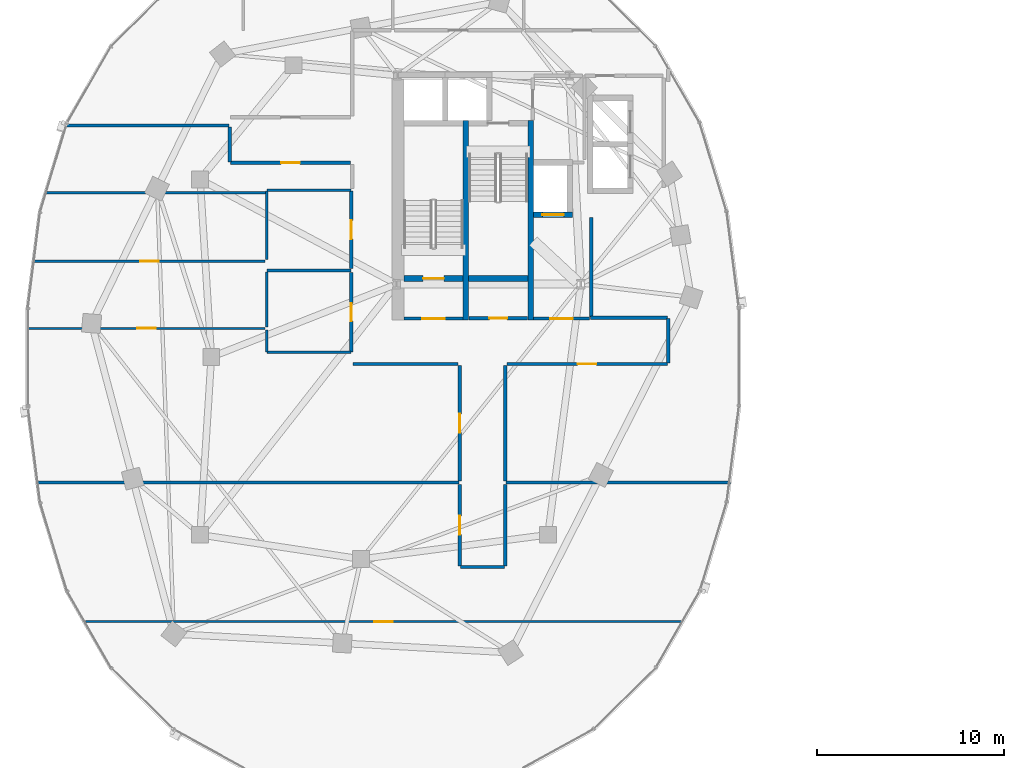
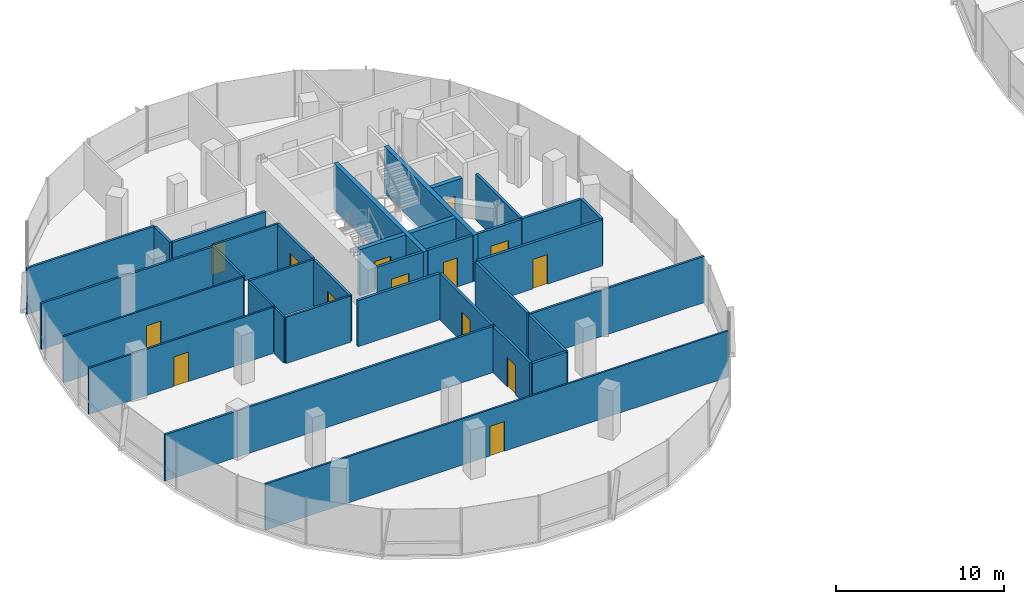
# One storey, part 12 of 23: 35 walls, 14 doors, 14 openings.
"""IFC4 building model written with IfcOpenShell, lengths in metres."""

from ifc_helpers import new_model, si_unit, direction, frame, frame_2d, origin, place, context, subcontext, project, spatial, rectangle, extrude, material, layer, layer_set, type_object, element, fill, save


model = new_model("IFC4")

# Units and contexts
model_context = context("Model", 3, precision=1e-05, world=origin(), true_north=direction((0.0, 1.0)))
body_context = subcontext(model_context, "Body", "Model", "MODEL_VIEW")
ifc_project = project(units=[si_unit("LENGTHUNIT", "METRE"), si_unit("AREAUNIT", "SQUARE_METRE"), si_unit("VOLUMEUNIT", "CUBIC_METRE"), si_unit("PLANEANGLEUNIT", "RADIAN"), si_unit("MASSUNIT", "GRAM", prefix="KILO"), si_unit("THERMODYNAMICTEMPERATUREUNIT", "KELVIN"), si_unit("POWERUNIT", "WATT")], contexts=[model_context])

# Site, building, storey
site_placement = place(None, origin())
site = spatial("IfcSite", under=ifc_project, at=site_placement, CompositionType="ELEMENT")
building_placement = place(site_placement, origin())
building = spatial("IfcBuilding", under=site, at=building_placement, Name="Cundina Bronze Exchange", CompositionType="ELEMENT")
storey_placement = place(building_placement, frame((0.0, 0.0, 169.199951171875)))
storey = spatial("IfcBuildingStorey", under=building, at=storey_placement, Name="L44", CompositionType="ELEMENT", Elevation=169.199951171875)

# Wall
ifc_material_1 = material(Name="Gypsum Fireboard Partition EI120")
ifc_layer_1 = layer(ifc_material_1, 0.179931640625, Name="Gypsum Fireboard Partition EI120")
ifc_layer_set_1 = layer_set([ifc_layer_1], Name="Gypsum Fireboard Partition EI120")
wall_type_1 = type_object("IfcWallType", Name="WL-COR-180", PredefinedType="PARTITIONING", material=ifc_layer_set_1)
wall_1_placement = place(storey_placement, frame((-20.889892578125, 2.14990234375, 0.0), z_axis=(0.0, 0.0, 1.0), x_axis=(0.0, 1.0, 0.0)))
element("IfcWall", 1, at=wall_1_placement, inside=storey, type_object=wall_type_1, Name="L44 W Firefighting Lobby Side Wall", PredefinedType="PARTITIONING", context=body_context, shape_type="SweptSolid", body=[
    extrude(rectangle(XDim=5.300048828125, YDim=0.179931640625, at=frame_2d((2.64990234375, 0.0))), origin(), (0.0, 0.0, 1.0), 3.360107421875),
])

# Wall, opening, door
wall_2_placement = place(storey_placement, frame((-23.97998046875, 2.06005859375, 0.0), z_axis=(0.0, 0.0, 1.0), x_axis=(1.0, 0.0, 0.0)))
wall_2 = element("IfcWall", 2, at=wall_2_placement, inside=storey, type_object=wall_type_1, Name="L44 W Firefighting Lobby Exit Wall", PredefinedType="PARTITIONING", context=body_context, shape_type="SweptSolid", body=[
    extrude(rectangle(XDim=3.0, YDim=0.179931640625, at=frame_2d((1.5, 0.0))), origin(), (0.0, 0.0, 1.0), 3.360107421875),
])
opening_1_placement = place(wall_2_placement, frame((0.89990234375, 0.0, 0.0)))
opening_1 = element("IfcOpeningElement", 3, at=opening_1_placement, cuts=wall_2, Name="Opening DF-01", PredefinedType="OPENING", context=body_context, shape_type="SweptSolid", body=[
    extrude(rectangle(XDim=1.199951171875, YDim=2.14990234375, at=frame_2d((0.60009765625, 1.074951171875))), frame((0.0, 0.099853515625, 0.0), z_axis=(0.0, -1.0, 0.0), x_axis=(1.0, 0.0, 0.0)), (0.0, 0.0, 1.0), 0.199951171875),
])
ifc_material_2 = material(Name="Steel ASTM A36 Painted", Category="steel")
door_type_1 = type_object("IfcDoorType", Name="DR-FFL-1200", OperationType="NOTDEFINED", PredefinedType="DOOR", material=ifc_material_2)
door_1_placement = place(opening_1_placement, origin())
door_1 = element("IfcDoor", 4, at=door_1_placement, inside=storey, type_object=door_type_1, Name="L44 W Firefighting Lobby Door", OperationType="SINGLE_SWING_RIGHT", OverallHeight=2.14990234375, OverallWidth=1.199951171875, PredefinedType="DOOR", context=body_context, shape_type="SweptSolid", body=[
    extrude(rectangle(XDim=1.199951171875, YDim=2.14990234375, at=frame_2d((0.60009765625, 1.074951171875))), frame((0.0, 0.02490234375, 0.0), z_axis=(0.0, -1.0, 0.0), x_axis=(1.0, 0.0, 0.0)), (0.0, 0.0, 1.0), 0.050048828125),
])
fill(opening_1, door_1)

wall_3_placement = place(storey_placement, frame((-30.89990234375, 2.06005859375, 0.0), z_axis=(0.0, 0.0, 1.0), x_axis=(1.0, 0.0, 0.0)))
wall_3 = element("IfcWall", 5, at=wall_3_placement, inside=storey, type_object=wall_type_1, Name="L44 W Stair Vestibule Exit Wall", PredefinedType="PARTITIONING", context=body_context, shape_type="SweptSolid", body=[
    extrude(rectangle(XDim=3.159912109375, YDim=0.179931640625, at=frame_2d((1.580078125, 0.0))), origin(), (0.0, 0.0, 1.0), 3.360107421875),
])
opening_2_placement = place(wall_3_placement, frame((0.97998046875, 0.0, 0.0)))
opening_2 = element("IfcOpeningElement", 6, at=opening_2_placement, cuts=wall_3, Name="Opening DF-01", PredefinedType="OPENING", context=body_context, shape_type="SweptSolid", body=[
    extrude(rectangle(XDim=1.199951171875, YDim=2.14990234375, at=frame_2d((0.60009765625, 1.074951171875))), frame((0.0, 0.099853515625, 0.0), z_axis=(0.0, -1.0, 0.0), x_axis=(1.0, 0.0, 0.0)), (0.0, 0.0, 1.0), 0.199951171875),
])
door_2_placement = place(opening_2_placement, origin())
door_2 = element("IfcDoor", 7, at=door_2_placement, inside=storey, type_object=door_type_1, Name="L44 W Stair Vestibule Door", OperationType="SINGLE_SWING_LEFT", OverallHeight=2.14990234375, OverallWidth=1.199951171875, PredefinedType="DOOR", context=body_context, shape_type="SweptSolid", body=[
    extrude(rectangle(XDim=1.199951171875, YDim=2.14990234375, at=frame_2d((0.60009765625, 1.074951171875))), frame((0.0, 0.02490234375, 0.0), z_axis=(0.0, -1.0, 0.0), x_axis=(1.0, 0.0, 0.0)), (0.0, 0.0, 1.0), 0.050048828125),
])
fill(opening_2, door_2)

wall_4_placement = place(storey_placement, frame((-27.419921875, 2.070068359375, 0.0), z_axis=(0.0, 0.0, 1.0), x_axis=(1.0, 0.0, 0.0)))
wall_4 = element("IfcWall", 8, at=wall_4_placement, inside=storey, type_object=wall_type_1, Name="L44 Interior Partition 007", PredefinedType="PARTITIONING", context=body_context, shape_type="SweptSolid", body=[
    extrude(rectangle(XDim=3.119873046875, YDim=0.179931640625, at=frame_2d((1.56005859375, 0.0))), origin(), (0.0, 0.0, 1.0), 3.360107421875),
])
opening_3_placement = place(wall_4_placement, frame((1.0849609375, 0.0, 0.0)))
opening_3 = element("IfcOpeningElement", 9, at=opening_3_placement, cuts=wall_4, Name="Opening DW-01", PredefinedType="OPENING", context=body_context, shape_type="SweptSolid", body=[
    extrude(rectangle(XDim=0.949951171875, YDim=2.10009765625, at=frame_2d((0.47509765625, 1.050048828125))), frame((0.0, 0.099853515625, 0.0), z_axis=(0.0, -1.0, 0.0), x_axis=(1.0, 0.0, 0.0)), (0.0, 0.0, 1.0), 0.199951171875),
])
ifc_material_3 = material(Name="Solid Andean Oak Timber Grade A", Category="wood")
door_type_2 = type_object("IfcDoorType", Name="DR-WC-950", OperationType="NOTDEFINED", PredefinedType="DOOR", material=ifc_material_3)
door_3_placement = place(opening_3_placement, origin())
door_3 = element("IfcDoor", 10, at=door_3_placement, inside=storey, type_object=door_type_2, Name="L44 Interior Door 007", OperationType="SINGLE_SWING_LEFT", OverallHeight=2.10009765625, OverallWidth=0.949951171875, PredefinedType="DOOR", context=body_context, shape_type="SweptSolid", body=[
    extrude(rectangle(XDim=0.949951171875, YDim=2.10009765625, at=frame_2d((0.47509765625, 1.050048828125))), frame((0.0, 0.02490234375, 0.0), z_axis=(0.0, -1.0, 0.0), x_axis=(1.0, 0.0, 0.0)), (0.0, 0.0, 1.0), 0.050048828125),
])
fill(opening_3, door_3)

wall_5_placement = place(storey_placement, frame((-33.719970703125, 0.27001953125, 0.0), z_axis=(0.0, 0.0, 1.0), x_axis=(0.0, 1.0, 0.0)))
wall_5 = element("IfcWall", 11, at=wall_5_placement, inside=storey, type_object=wall_type_1, Name="L44 Interior Partition 015", PredefinedType="PARTITIONING", context=body_context, shape_type="SweptSolid", body=[
    extrude(rectangle(XDim=4.260009765625, YDim=0.179931640625, at=frame_2d((2.1298828125, 0.0))), origin(), (0.0, 0.0, 1.0), 3.360107421875),
])
opening_4_placement = place(wall_5_placement, frame((1.655029296875, 0.0, 0.0)))
opening_4 = element("IfcOpeningElement", 12, at=opening_4_placement, cuts=wall_5, Name="Opening DW-01", PredefinedType="OPENING", context=body_context, shape_type="SweptSolid", body=[
    extrude(rectangle(XDim=0.949951171875, YDim=2.10009765625, at=frame_2d((0.47509765625, 1.050048828125))), frame((0.0, 0.099853515625, 0.0), z_axis=(0.0, -1.0, 0.0), x_axis=(1.0, 0.0, 0.0)), (0.0, 0.0, 1.0), 0.199951171875),
])
door_4_placement = place(opening_4_placement, origin())
door_4 = element("IfcDoor", 13, at=door_4_placement, inside=storey, type_object=door_type_2, Name="L44 Interior Door 015", OperationType="SINGLE_SWING_LEFT", OverallHeight=2.10009765625, OverallWidth=0.949951171875, PredefinedType="DOOR", context=body_context, shape_type="SweptSolid", body=[
    extrude(rectangle(XDim=0.949951171875, YDim=2.10009765625, at=frame_2d((0.47509765625, 1.050048828125))), frame((0.0, 0.02490234375, 0.0), z_axis=(0.0, -1.0, 0.0), x_axis=(1.0, 0.0, 0.0)), (0.0, 0.0, 1.0), 0.050048828125),
])
fill(opening_4, door_4)

wall_6_placement = place(storey_placement, frame((-33.719970703125, 4.72998046875, 0.0), z_axis=(0.0, 0.0, 1.0), x_axis=(0.0, 1.0, 0.0)))
wall_6 = element("IfcWall", 14, at=wall_6_placement, inside=storey, type_object=wall_type_1, Name="L44 Interior Partition 016", PredefinedType="PARTITIONING", context=body_context, shape_type="SweptSolid", body=[
    extrude(rectangle(XDim=4.159912109375, YDim=0.179931640625, at=frame_2d((2.080078125, 0.0))), origin(), (0.0, 0.0, 1.0), 3.360107421875),
])
opening_5_placement = place(wall_6_placement, frame((1.580078125, 0.0, 0.0)))
opening_5 = element("IfcOpeningElement", 15, at=opening_5_placement, cuts=wall_6, Name="Opening DO-01", PredefinedType="OPENING", context=body_context, shape_type="SweptSolid", body=[
    extrude(rectangle(XDim=1.0, YDim=2.14990234375, at=frame_2d((0.5, 1.074951171875))), frame((0.0, 0.099853515625, 0.0), z_axis=(0.0, -1.0, 0.0), x_axis=(1.0, 0.0, 0.0)), (0.0, 0.0, 1.0), 0.199951171875),
])
door_type_3 = type_object("IfcDoorType", Name="DR-OFF-1000", OperationType="NOTDEFINED", PredefinedType="DOOR", material=ifc_material_3)
door_5_placement = place(opening_5_placement, origin())
door_5 = element("IfcDoor", 16, at=door_5_placement, inside=storey, type_object=door_type_3, Name="L44 Interior Door 016", OperationType="SINGLE_SWING_LEFT", OverallHeight=2.14990234375, OverallWidth=1.0, PredefinedType="DOOR", context=body_context, shape_type="SweptSolid", body=[
    extrude(rectangle(XDim=1.0, YDim=2.14990234375, at=frame_2d((0.5, 1.074951171875))), frame((0.0, 0.02490234375, 0.0), z_axis=(0.0, -1.0, 0.0), x_axis=(1.0, 0.0, 0.0)), (0.0, 0.0, 1.0), 0.050048828125),
])
fill(opening_5, door_5)

wall_7_placement = place(storey_placement, frame((-27.919921875, -6.800048828125, 0.0), z_axis=(0.0, 0.0, 1.0), x_axis=(0.0, -1.0, 0.0)))
wall_7 = element("IfcWall", 17, at=wall_7_placement, inside=storey, type_object=wall_type_1, Name="L44 Interior Partition 024", PredefinedType="PARTITIONING", context=body_context, shape_type="SweptSolid", body=[
    extrude(rectangle(XDim=4.37841796875, YDim=0.179931640625, at=frame_2d((2.189208984375, 0.0))), origin(), (0.0, 0.0, 1.0), 3.360107421875),
])
opening_6_placement = place(wall_7_placement, frame((1.689208984375, 0.0, 0.0)))
opening_6 = element("IfcOpeningElement", 18, at=opening_6_placement, cuts=wall_7, Name="Opening DO-01", PredefinedType="OPENING", context=body_context, shape_type="SweptSolid", body=[
    extrude(rectangle(XDim=1.0, YDim=2.14990234375, at=frame_2d((0.5, 1.074951171875))), frame((0.0, 0.099853515625, 0.0), z_axis=(0.0, -1.0, 0.0), x_axis=(1.0, 0.0, 0.0)), (0.0, 0.0, 1.0), 0.199951171875),
])
door_6_placement = place(opening_6_placement, origin())
door_6 = element("IfcDoor", 19, at=door_6_placement, inside=storey, type_object=door_type_3, Name="L44 Interior Door 024", OperationType="SINGLE_SWING_RIGHT", OverallHeight=2.14990234375, OverallWidth=1.0, PredefinedType="DOOR", context=body_context, shape_type="SweptSolid", body=[
    extrude(rectangle(XDim=1.0, YDim=2.14990234375, at=frame_2d((0.5, 1.074951171875))), frame((0.0, 0.02490234375, 0.0), z_axis=(0.0, -1.0, 0.0), x_axis=(1.0, 0.0, 0.0)), (0.0, 0.0, 1.0), 0.050048828125),
])
fill(opening_6, door_6)

# Walls
wall_8_placement = place(storey_placement, frame((-25.47998046875, -11.178466796875, 0.0), z_axis=(0.0, 0.0, 1.0), x_axis=(0.0, 1.0, 0.0)))
element("IfcWall", 20, at=wall_8_placement, inside=storey, type_object=wall_type_1, Name="L44 Interior Partition 025", PredefinedType="PARTITIONING", context=body_context, shape_type="SweptSolid", body=[
    extrude(rectangle(XDim=4.37841796875, YDim=0.179931640625, at=frame_2d((2.189208984375, 0.0))), origin(), (0.0, 0.0, 1.0), 3.360107421875),
])
wall_9_placement = place(storey_placement, frame((-27.87841796875, -11.219970703125, 0.0), z_axis=(0.0, 0.0, 1.0), x_axis=(1.0, 0.0, 0.0)))
element("IfcWall", 21, at=wall_9_placement, inside=storey, type_object=wall_type_1, Name="L44 Interior Partition 026", PredefinedType="PARTITIONING", context=body_context, shape_type="SweptSolid", body=[
    extrude(rectangle(XDim=2.35693359375, YDim=0.179931640625, at=frame_2d((1.178466796875, 0.0))), origin(), (0.0, 0.0, 1.0), 3.360107421875),
])

# Wall, opening, door
wall_10_placement = place(storey_placement, frame((-27.919921875, -0.449951171875, 0.0), z_axis=(0.0, 0.0, 1.0), x_axis=(0.0, -1.0, 0.0)))
wall_10 = element("IfcWall", 22, at=wall_10_placement, inside=storey, type_object=wall_type_1, Name="L44 Interior Partition 027", PredefinedType="PARTITIONING", context=body_context, shape_type="SweptSolid", body=[
    extrude(rectangle(XDim=6.170166015625, YDim=0.179931640625, at=frame_2d((3.0849609375, 0.0))), origin(), (0.0, 0.0, 1.0), 3.360107421875),
])
opening_7_placement = place(wall_10_placement, frame((2.5849609375, 0.0, 0.0)))
opening_7 = element("IfcOpeningElement", 23, at=opening_7_placement, cuts=wall_10, Name="Opening DO-01", PredefinedType="OPENING", context=body_context, shape_type="SweptSolid", body=[
    extrude(rectangle(XDim=1.0, YDim=2.14990234375, at=frame_2d((0.5, 1.074951171875))), frame((0.0, 0.099853515625, 0.0), z_axis=(0.0, -1.0, 0.0), x_axis=(1.0, 0.0, 0.0)), (0.0, 0.0, 1.0), 0.199951171875),
])
door_7_placement = place(opening_7_placement, origin())
door_7 = element("IfcDoor", 24, at=door_7_placement, inside=storey, type_object=door_type_3, Name="L44 Interior Door 027", OperationType="SINGLE_SWING_RIGHT", OverallHeight=2.14990234375, OverallWidth=1.0, PredefinedType="DOOR", context=body_context, shape_type="SweptSolid", body=[
    extrude(rectangle(XDim=1.0, YDim=2.14990234375, at=frame_2d((0.5, 1.074951171875))), frame((0.0, 0.02490234375, 0.0), z_axis=(0.0, -1.0, 0.0), x_axis=(1.0, 0.0, 0.0)), (0.0, 0.0, 1.0), 0.050048828125),
])
fill(opening_7, door_7)

# Wall
wall_11_placement = place(storey_placement, frame((-33.62841796875, -0.3701171875, 0.0), z_axis=(0.0, 0.0, 1.0), x_axis=(1.0, 0.0, 0.0)))
element("IfcWall", 25, at=wall_11_placement, inside=storey, type_object=wall_type_1, Name="L44 Interior Partition 028", PredefinedType="PARTITIONING", context=body_context, shape_type="SweptSolid", body=[
    extrude(rectangle(XDim=5.62841796875, YDim=0.179931640625, at=frame_2d((2.814208984375, 0.0))), origin(), (0.0, 0.0, 1.0), 3.360107421875),
])

# Wall, opening, door
wall_12_placement = place(storey_placement, frame((-25.39990234375, -0.3701171875, 0.0), z_axis=(0.0, 0.0, 1.0), x_axis=(1.0, 0.0, 0.0)))
wall_12 = element("IfcWall", 26, at=wall_12_placement, inside=storey, type_object=wall_type_1, Name="L44 Interior Partition 029", PredefinedType="PARTITIONING", context=body_context, shape_type="SweptSolid", body=[
    extrude(rectangle(XDim=8.578369140625, YDim=0.179931640625, at=frame_2d((4.2890625, 0.0))), origin(), (0.0, 0.0, 1.0), 3.360107421875),
])
opening_8_placement = place(wall_12_placement, frame((3.789306640625, 0.0, 0.0)))
opening_8 = element("IfcOpeningElement", 27, at=opening_8_placement, cuts=wall_12, Name="Opening DO-01", PredefinedType="OPENING", context=body_context, shape_type="SweptSolid", body=[
    extrude(rectangle(XDim=1.0, YDim=2.14990234375, at=frame_2d((0.5, 1.074951171875))), frame((0.0, 0.099853515625, 0.0), z_axis=(0.0, -1.0, 0.0), x_axis=(1.0, 0.0, 0.0)), (0.0, 0.0, 1.0), 0.199951171875),
])
door_8_placement = place(opening_8_placement, origin())
door_8 = element("IfcDoor", 28, at=door_8_placement, inside=storey, type_object=door_type_3, Name="L44 Interior Door 029", OperationType="SINGLE_SWING_LEFT", OverallHeight=2.14990234375, OverallWidth=1.0, PredefinedType="DOOR", context=body_context, shape_type="SweptSolid", body=[
    extrude(rectangle(XDim=1.0, YDim=2.14990234375, at=frame_2d((0.5, 1.074951171875))), frame((0.0, 0.02490234375, 0.0), z_axis=(0.0, -1.0, 0.0), x_axis=(1.0, 0.0, 0.0)), (0.0, 0.0, 1.0), 0.050048828125),
])
fill(opening_8, door_8)

# Walls
wall_13_placement = place(storey_placement, frame((-25.47998046875, -6.6201171875, 0.0), z_axis=(0.0, 0.0, 1.0), x_axis=(0.0, 1.0, 0.0)))
element("IfcWall", 29, at=wall_13_placement, inside=storey, type_object=wall_type_1, Name="L44 Interior Partition 030", PredefinedType="PARTITIONING", context=body_context, shape_type="SweptSolid", body=[
    extrude(rectangle(XDim=6.170166015625, YDim=0.179931640625, at=frame_2d((3.0849609375, 0.0))), origin(), (0.0, 0.0, 1.0), 3.360107421875),
])
wall_14_placement = place(storey_placement, frame((-16.821533203125, 2.10009765625, 0.0), z_axis=(0.0, 0.0, 1.0), x_axis=(-1.0, 0.0, 0.0)))
element("IfcWall", 30, at=wall_14_placement, inside=storey, type_object=wall_type_1, Name="L44 Interior Partition 031", PredefinedType="PARTITIONING", context=body_context, shape_type="SweptSolid", body=[
    extrude(rectangle(XDim=4.098388671875, YDim=0.179931640625, at=frame_2d((2.04931640625, 0.0))), origin(), (0.0, 0.0, 1.0), 3.360107421875),
])
wall_15_placement = place(storey_placement, frame((-16.780029296875, -0.32861328125, 0.0), z_axis=(0.0, 0.0, 1.0), x_axis=(0.0, 1.0, 0.0)))
element("IfcWall", 31, at=wall_15_placement, inside=storey, type_object=wall_type_1, Name="L44 Interior Partition 032", PredefinedType="PARTITIONING", context=body_context, shape_type="SweptSolid", body=[
    extrude(rectangle(XDim=2.38720703125, YDim=0.179931640625, at=frame_2d((1.193603515625, 0.0))), origin(), (0.0, 0.0, 1.0), 3.360107421875),
])

# Wall, opening, door
wall_16_placement = place(storey_placement, frame((-40.178466796875, 10.3798828125, 0.0), z_axis=(0.0, 0.0, 1.0), x_axis=(1.0, 0.0, 0.0)))
wall_16 = element("IfcWall", 32, at=wall_16_placement, inside=storey, type_object=wall_type_1, Name="L44 Interior Partition 034", PredefinedType="PARTITIONING", context=body_context, shape_type="SweptSolid", body=[
    extrude(rectangle(XDim=6.428466796875, YDim=0.179931640625, at=frame_2d((3.21435546875, 0.0))), origin(), (0.0, 0.0, 1.0), 3.360107421875),
])
opening_9_placement = place(wall_16_placement, frame((2.714111328125, 0.0, 0.0)))
opening_9 = element("IfcOpeningElement", 33, at=opening_9_placement, cuts=wall_16, Name="Opening DO-01", PredefinedType="OPENING", context=body_context, shape_type="SweptSolid", body=[
    extrude(rectangle(XDim=1.0, YDim=2.14990234375, at=frame_2d((0.5, 1.074951171875))), frame((0.0, 0.099853515625, 0.0), z_axis=(0.0, -1.0, 0.0), x_axis=(1.0, 0.0, 0.0)), (0.0, 0.0, 1.0), 0.199951171875),
])
door_9_placement = place(opening_9_placement, origin())
door_9 = element("IfcDoor", 34, at=door_9_placement, inside=storey, type_object=door_type_3, Name="L44 Interior Door 034", OperationType="SINGLE_SWING_RIGHT", OverallHeight=2.14990234375, OverallWidth=1.0, PredefinedType="DOOR", context=body_context, shape_type="SweptSolid", body=[
    extrude(rectangle(XDim=1.0, YDim=2.14990234375, at=frame_2d((0.5, 1.074951171875))), frame((0.0, 0.02490234375, 0.0), z_axis=(0.0, -1.0, 0.0), x_axis=(1.0, 0.0, 0.0)), (0.0, 0.0, 1.0), 0.050048828125),
])
fill(opening_9, door_9)

# Wall
wall_17_placement = place(storey_placement, frame((-40.219970703125, 12.2900390625, 0.0), z_axis=(0.0, 0.0, 1.0), x_axis=(0.0, -1.0, 0.0)))
element("IfcWall", 35, at=wall_17_placement, inside=storey, type_object=wall_type_1, Name="L44 Interior Partition 035", PredefinedType="PARTITIONING", context=body_context, shape_type="SweptSolid", body=[
    extrude(rectangle(XDim=1.86865234375, YDim=0.179931640625, at=frame_2d((0.934326171875, 0.0))), origin(), (0.0, 0.0, 1.0), 3.360107421875),
])

# Wall, opening, door
ifc_material_4 = material(Name="Gypsum Acoustic Partition EI60")
ifc_layer_2 = layer(ifc_material_4, 0.125, Name="Gypsum Acoustic Partition EI60")
ifc_layer_set_2 = layer_set([ifc_layer_2], Name="Gypsum Acoustic Partition EI60")
wall_type_2 = type_object("IfcWallType", Name="WL-OFF-125", PredefinedType="PARTITIONING", material=ifc_layer_set_2)
wall_18_placement = place(storey_placement, frame((-47.929931640625, -14.139892578125, 0.0), z_axis=(0.0, 0.0, 1.0), x_axis=(1.0, 0.0, 0.0)))
wall_18 = element("IfcWall", 36, at=wall_18_placement, inside=storey, type_object=wall_type_2, Name="L44 Interior Partition 042", PredefinedType="PARTITIONING", context=body_context, shape_type="SweptSolid", body=[
    extrude(rectangle(XDim=31.85986328125, YDim=0.125, at=frame_2d((15.929931640625, 0.0))), origin(), (0.0, 0.0, 1.0), 3.360107421875),
])
opening_10_placement = place(wall_18_placement, frame((15.429931640625, 0.0, 0.0)))
opening_10 = element("IfcOpeningElement", 37, at=opening_10_placement, cuts=wall_18, Name="Opening DO-01", PredefinedType="OPENING", context=body_context, shape_type="SweptSolid", body=[
    extrude(rectangle(XDim=1.0, YDim=2.14990234375, at=frame_2d((0.5, 1.074951171875))), frame((0.0, 0.072509765625, 0.0), z_axis=(0.0, -1.0, 0.0), x_axis=(1.0, 0.0, 0.0)), (0.0, 0.0, 1.0), 0.14501953125),
])
door_10_placement = place(opening_10_placement, origin())
door_10 = element("IfcDoor", 38, at=door_10_placement, inside=storey, type_object=door_type_3, Name="L44 Interior Door 042", OperationType="SINGLE_SWING_RIGHT", OverallHeight=2.14990234375, OverallWidth=1.0, PredefinedType="DOOR", context=body_context, shape_type="SweptSolid", body=[
    extrude(rectangle(XDim=1.0, YDim=2.14990234375, at=frame_2d((0.5, 1.074951171875))), frame((0.0, 0.02490234375, 0.0), z_axis=(0.0, -1.0, 0.0), x_axis=(1.0, 0.0, 0.0)), (0.0, 0.0, 1.0), 0.050048828125),
])
fill(opening_10, door_10)

wall_19_placement = place(storey_placement, frame((-38.320068359375, 1.530029296875, 0.0), z_axis=(0.0, 0.0, 1.0), x_axis=(-1.0, 0.0, 0.0)))
wall_19 = element("IfcWall", 39, at=wall_19_placement, inside=storey, type_object=wall_type_2, Name="L44 Interior Partition 043", PredefinedType="PARTITIONING", context=body_context, shape_type="SweptSolid", body=[
    extrude(rectangle(XDim=12.701904296875, YDim=0.125, at=frame_2d((6.35107421875, 0.0))), origin(), (0.0, 0.0, 1.0), 3.360107421875),
])
opening_11_placement = place(wall_19_placement, frame((5.85107421875, 0.0, 0.0)))
opening_11 = element("IfcOpeningElement", 40, at=opening_11_placement, cuts=wall_19, Name="Opening DO-01", PredefinedType="OPENING", context=body_context, shape_type="SweptSolid", body=[
    extrude(rectangle(XDim=1.0, YDim=2.14990234375, at=frame_2d((0.5, 1.074951171875))), frame((0.0, 0.072509765625, 0.0), z_axis=(0.0, -1.0, 0.0), x_axis=(1.0, 0.0, 0.0)), (0.0, 0.0, 1.0), 0.14501953125),
])
door_11_placement = place(opening_11_placement, origin())
door_11 = element("IfcDoor", 41, at=door_11_placement, inside=storey, type_object=door_type_3, Name="L44 Interior Door 043", OperationType="SINGLE_SWING_RIGHT", OverallHeight=2.14990234375, OverallWidth=1.0, PredefinedType="DOOR", context=body_context, shape_type="SweptSolid", body=[
    extrude(rectangle(XDim=1.0, YDim=2.14990234375, at=frame_2d((0.5, 1.074951171875))), frame((0.0, 0.02490234375, 0.0), z_axis=(0.0, -1.0, 0.0), x_axis=(1.0, 0.0, 0.0)), (0.0, 0.0, 1.0), 0.050048828125),
])
fill(opening_11, door_11)

wall_20_placement = place(storey_placement, frame((-38.320068359375, 5.1298828125, 0.0), z_axis=(0.0, 0.0, 1.0), x_axis=(-1.0, 0.0, 0.0)))
wall_20 = element("IfcWall", 42, at=wall_20_placement, inside=storey, type_object=wall_type_2, Name="L44 Interior Partition 044", PredefinedType="PARTITIONING", context=body_context, shape_type="SweptSolid", body=[
    extrude(rectangle(XDim=12.36865234375, YDim=0.125, at=frame_2d((6.184326171875, 0.0))), origin(), (0.0, 0.0, 1.0), 3.360107421875),
])
opening_12_placement = place(wall_20_placement, frame((5.684326171875, 0.0, 0.0)))
opening_12 = element("IfcOpeningElement", 43, at=opening_12_placement, cuts=wall_20, Name="Opening DO-01", PredefinedType="OPENING", context=body_context, shape_type="SweptSolid", body=[
    extrude(rectangle(XDim=1.0, YDim=2.14990234375, at=frame_2d((0.5, 1.074951171875))), frame((0.0, 0.072509765625, 0.0), z_axis=(0.0, -1.0, 0.0), x_axis=(1.0, 0.0, 0.0)), (0.0, 0.0, 1.0), 0.14501953125),
])
door_12_placement = place(opening_12_placement, origin())
door_12 = element("IfcDoor", 44, at=door_12_placement, inside=storey, type_object=door_type_3, Name="L44 Interior Door 044", OperationType="SINGLE_SWING_RIGHT", OverallHeight=2.14990234375, OverallWidth=1.0, PredefinedType="DOOR", context=body_context, shape_type="SweptSolid", body=[
    extrude(rectangle(XDim=1.0, YDim=2.14990234375, at=frame_2d((0.5, 1.074951171875))), frame((0.0, 0.02490234375, 0.0), z_axis=(0.0, -1.0, 0.0), x_axis=(1.0, 0.0, 0.0)), (0.0, 0.0, 1.0), 0.050048828125),
])
fill(opening_12, door_12)

# Walls
ifc_material_5 = material(Name="Concrete C50/60", Category="concrete")
ifc_layer_3 = layer(ifc_material_5, 0.300048828125, Name="Concrete C50/60", Category="concrete")
ifc_layer_set_3 = layer_set([ifc_layer_3], Name="Concrete C50/60")
wall_type_3 = type_object("IfcWallType", Name="WL-SHFT-300", PredefinedType="SHEAR", material=ifc_layer_set_3)
for number, where, z_axis, x_axis, name in (
    (45, (-27.590087890625, 1.969970703125, 0.0), (0.0, 0.0, 1.0), (0.0, 1.0, 0.0), "L44 W Stair Shaft Dividing Shear Wall"),
    (46, (-24.1298828125, 1.969970703125, 0.0), (0.0, 0.0, 1.0), (0.0, 1.0, 0.0), "L44 W Stair 2 East Shear Wall"),
):
    element("IfcWall", number, at=place(storey_placement, frame(where, z_axis=z_axis, x_axis=x_axis)), inside=storey, type_object=wall_type_3, Name=name, PredefinedType="SHEAR", context=body_context, shape_type="SweptSolid", body=[
        extrude(rectangle(XDim=10.679931640625, YDim=0.300048828125, at=frame_2d((5.33984375, 0.0))), origin(), (0.0, 0.0, 1.0), 3.360107421875),
    ])

# Wall, opening, door
wall_21_placement = place(storey_placement, frame((-30.89990234375, 4.199951171875, 0.0), z_axis=(0.0, 0.0, 1.0), x_axis=(1.0, 0.0, 0.0)))
wall_21 = element("IfcWall", 47, at=wall_21_placement, inside=storey, type_object=wall_type_3, Name="L44 Stair W1 Landing Wall", PredefinedType="SHEAR", context=body_context, shape_type="SweptSolid", body=[
    extrude(rectangle(XDim=3.159912109375, YDim=0.300048828125, at=frame_2d((1.580078125, 0.0))), origin(), (0.0, 0.0, 1.0), 3.360107421875),
])
opening_13_placement = place(wall_21_placement, frame((1.030029296875, 0.0, 0.0)))
opening_13 = element("IfcOpeningElement", 48, at=opening_13_placement, cuts=wall_21, Name="Opening DS-01", PredefinedType="OPENING", context=body_context, shape_type="SweptSolid", body=[
    extrude(rectangle(XDim=1.10009765625, YDim=2.14990234375, at=frame_2d((0.550048828125, 1.074951171875))), frame((0.0, 0.159912109375, 0.0), z_axis=(0.0, -1.0, 0.0), x_axis=(1.0, 0.0, 0.0)), (0.0, 0.0, 1.0), 0.320068359375),
])
door_type_4 = type_object("IfcDoorType", Name="DR-STR-1100", OperationType="NOTDEFINED", PredefinedType="DOOR", material=ifc_material_2)
door_13_placement = place(opening_13_placement, origin())
door_13 = element("IfcDoor", 49, at=door_13_placement, inside=storey, type_object=door_type_4, Name="L44 Smokeproof Stair W1 Door", OperationType="SINGLE_SWING_RIGHT", OverallHeight=2.14990234375, OverallWidth=1.10009765625, PredefinedType="DOOR", context=body_context, shape_type="SweptSolid", body=[
    extrude(rectangle(XDim=1.10009765625, YDim=2.14990234375, at=frame_2d((0.550048828125, 1.074951171875))), frame((0.0, 0.02490234375, 0.0), z_axis=(0.0, -1.0, 0.0), x_axis=(1.0, 0.0, 0.0)), (0.0, 0.0, 1.0), 0.050048828125),
])
fill(opening_13, door_13)

# Wall
wall_22_placement = place(storey_placement, frame((-27.43994140625, 4.199951171875, 0.0), z_axis=(0.0, 0.0, 1.0), x_axis=(1.0, 0.0, 0.0)))
element("IfcWall", 50, at=wall_22_placement, inside=storey, type_object=wall_type_3, Name="L44 Stair W2 Far Shaft Wall", PredefinedType="SHEAR", context=body_context, shape_type="SweptSolid", body=[
    extrude(rectangle(XDim=3.159912109375, YDim=0.300048828125, at=frame_2d((1.580078125, 0.0))), origin(), (0.0, 0.0, 1.0), 3.360107421875),
])

# Wall, opening, door
wall_23_placement = place(storey_placement, frame((-23.97998046875, 7.60009765625, 0.0), z_axis=(0.0, 0.0, 1.0), x_axis=(1.0, 0.0, 0.0)))
wall_23 = element("IfcWall", 51, at=wall_23_placement, inside=storey, type_object=wall_type_3, Name="L44 FFL-W Hoistway Front Wall", PredefinedType="SHEAR", context=body_context, shape_type="SweptSolid", body=[
    extrude(rectangle(XDim=2.10009765625, YDim=0.300048828125, at=frame_2d((1.050048828125, 0.0))), origin(), (0.0, 0.0, 1.0), 3.360107421875),
])
opening_14_placement = place(wall_23_placement, frame((0.47509765625, 0.0, 0.0)))
opening_14 = element("IfcOpeningElement", 52, at=opening_14_placement, cuts=wall_23, Name="Opening LD-01", PredefinedType="OPENING", context=body_context, shape_type="SweptSolid", body=[
    extrude(rectangle(XDim=1.14990234375, YDim=2.199951171875, at=frame_2d((0.574951171875, 1.10009765625))), frame((0.0, 0.159912109375, 0.0), z_axis=(0.0, -1.0, 0.0), x_axis=(1.0, 0.0, 0.0)), (0.0, 0.0, 1.0), 0.320068359375),
])
door_type_5 = type_object("IfcDoorType", Name="DR-LND-1150", OperationType="NOTDEFINED", PredefinedType="TRAPDOOR", material=ifc_material_2)
door_14_placement = place(opening_14_placement, origin())
door_14 = element("IfcDoor", 53, at=door_14_placement, inside=storey, type_object=door_type_5, Name="L44 FFL-W Sliding Landing Door", OperationType="SLIDING_TO_LEFT", OverallHeight=2.199951171875, OverallWidth=1.14990234375, PredefinedType="TRAPDOOR", context=body_context, shape_type="SweptSolid", body=[
    extrude(rectangle(XDim=1.14990234375, YDim=2.199951171875, at=frame_2d((0.574951171875, 1.10009765625))), frame((0.0, 0.02490234375, 0.0), z_axis=(0.0, -1.0, 0.0), x_axis=(1.0, 0.0, 0.0)), (0.0, 0.0, 1.0), 0.050048828125),
])
fill(opening_14, door_14)

# Walls
ifc_layer_4 = layer(ifc_material_4, 0.14990234375, Name="Gypsum Acoustic Partition EI60")
ifc_layer_set_4 = layer_set([ifc_layer_4], Name="Gypsum Acoustic Partition EI60")
wall_type_4 = type_object("IfcWallType", Name="WL-TEN-150", PredefinedType="PARTITIONING", material=ifc_layer_set_4)
wall_24_placement = place(storey_placement, frame((-50.552978515625, -6.7099609375, 0.0), z_axis=(0.0, 0.0, 1.0), x_axis=(1.0, 0.0, 0.0)))
element("IfcWall", 54, at=wall_24_placement, inside=storey, type_object=wall_type_4, Name="L44 Interior Partition 017", PredefinedType="PARTITIONING", context=body_context, shape_type="SweptSolid", body=[
    extrude(rectangle(XDim=22.60302734375, YDim=0.14990234375, at=frame_2d((11.301513671875, 0.0))), origin(), (0.0, 0.0, 1.0), 3.360107421875),
])
wall_25_placement = place(storey_placement, frame((-25.449951171875, -6.7099609375, 0.0), z_axis=(0.0, 0.0, 1.0), x_axis=(1.0, 0.0, 0.0)))
element("IfcWall", 55, at=wall_25_placement, inside=storey, type_object=wall_type_4, Name="L44 Interior Partition 018", PredefinedType="PARTITIONING", context=body_context, shape_type="SweptSolid", body=[
    extrude(rectangle(XDim=12.0029296875, YDim=0.14990234375, at=frame_2d((6.00146484375, 0.0))), origin(), (0.0, 0.0, 1.0), 3.360107421875),
])
wall_26_placement = place(storey_placement, frame((-50.114990234375, 8.780029296875, 0.0), z_axis=(0.0, 0.0, 1.0), x_axis=(1.0, 0.0, 0.0)))
element("IfcWall", 56, at=wall_26_placement, inside=storey, type_object=wall_type_4, Name="L44 Interior Partition 019", PredefinedType="PARTITIONING", context=body_context, shape_type="SweptSolid", body=[
    extrude(rectangle(XDim=11.844970703125, YDim=0.14990234375, at=frame_2d((5.92236328125, 0.0))), origin(), (0.0, 0.0, 1.0), 3.360107421875),
])
wall_27_placement = place(storey_placement, frame((-49.02392578125, 12.3798828125, 0.0), z_axis=(0.0, 0.0, 1.0), x_axis=(1.0, 0.0, 0.0)))
element("IfcWall", 57, at=wall_27_placement, inside=storey, type_object=wall_type_4, Name="L44 Interior Partition 020", PredefinedType="PARTITIONING", context=body_context, shape_type="SweptSolid", body=[
    extrude(rectangle(XDim=8.77392578125, YDim=0.14990234375, at=frame_2d((4.386962890625, 0.0))), origin(), (0.0, 0.0, 1.0), 3.360107421875),
])
ifc_material_6 = material(Name="Moisture-Resistant Masonry Block Grade M15", Category="masonry")
ifc_layer_5 = layer(ifc_material_6, 0.139892578125, Name="Moisture-Resistant Masonry Block Grade M15", Category="masonry")
ifc_layer_set_5 = layer_set([ifc_layer_5], Name="Moisture-Resistant Masonry Block Grade M15")
wall_type_5 = type_object("IfcWallType", Name="WL-WET-140", PredefinedType="PARTITIONING", material=ifc_layer_set_5)
wall_28_placement = place(storey_placement, frame((-38.239990234375, 0.27001953125, 0.0), z_axis=(0.0, 0.0, 1.0), x_axis=(0.0, 1.0, 0.0)))
element("IfcWall", 58, at=wall_28_placement, inside=storey, type_object=wall_type_5, Name="L44 Interior Partition 009", PredefinedType="PARTITIONING", context=body_context, shape_type="SweptSolid", body=[
    extrude(rectangle(XDim=1.175048828125, YDim=0.139892578125, at=frame_2d((0.58740234375, 0.0))), origin(), (0.0, 0.0, 1.0), 3.360107421875),
])
wall_29_placement = place(storey_placement, frame((-38.239990234375, 1.614990234375, 0.0), z_axis=(0.0, 0.0, 1.0), x_axis=(0.0, 1.0, 0.0)))
element("IfcWall", 59, at=wall_29_placement, inside=storey, type_object=wall_type_5, Name="L44 Interior Partition 010", PredefinedType="PARTITIONING", context=body_context, shape_type="SweptSolid", body=[
    extrude(rectangle(XDim=2.929931640625, YDim=0.139892578125, at=frame_2d((1.46484375, 0.0))), origin(), (0.0, 0.0, 1.0), 3.360107421875),
])
wall_30_placement = place(storey_placement, frame((-38.239990234375, 5.215087890625, 0.0), z_axis=(0.0, 0.0, 1.0), x_axis=(0.0, 1.0, 0.0)))
element("IfcWall", 60, at=wall_30_placement, inside=storey, type_object=wall_type_5, Name="L44 Interior Partition 011", PredefinedType="PARTITIONING", context=body_context, shape_type="SweptSolid", body=[
    extrude(rectangle(XDim=3.6748046875, YDim=0.139892578125, at=frame_2d((1.83740234375, 0.0))), origin(), (0.0, 0.0, 1.0), 3.360107421875),
])
for number, where, z_axis, x_axis, name in (
    (61, (-38.219970703125, 0.25, 0.0), (0.0, 0.0, 1.0), (1.0, 0.0, 0.0), "L44 Interior Partition 012"),
    (62, (-38.219970703125, 4.6298828125, 0.0), (0.0, 0.0, 1.0), (1.0, 0.0, 0.0), "L44 Interior Partition 013"),
    (63, (-38.219970703125, 8.909912109375, 0.0), (0.0, 0.0, 1.0), (1.0, 0.0, 0.0), "L44 Interior Partition 014"),
):
    element("IfcWall", number, at=place(storey_placement, frame(where, z_axis=z_axis, x_axis=x_axis)), inside=storey, type_object=wall_type_5, Name=name, PredefinedType="PARTITIONING", context=body_context, shape_type="SweptSolid", body=[
        extrude(rectangle(XDim=4.47998046875, YDim=0.139892578125, at=frame_2d((2.239990234375, 0.0))), origin(), (0.0, 0.0, 1.0), 3.360107421875),
    ])

save(model, "model.ifc")
